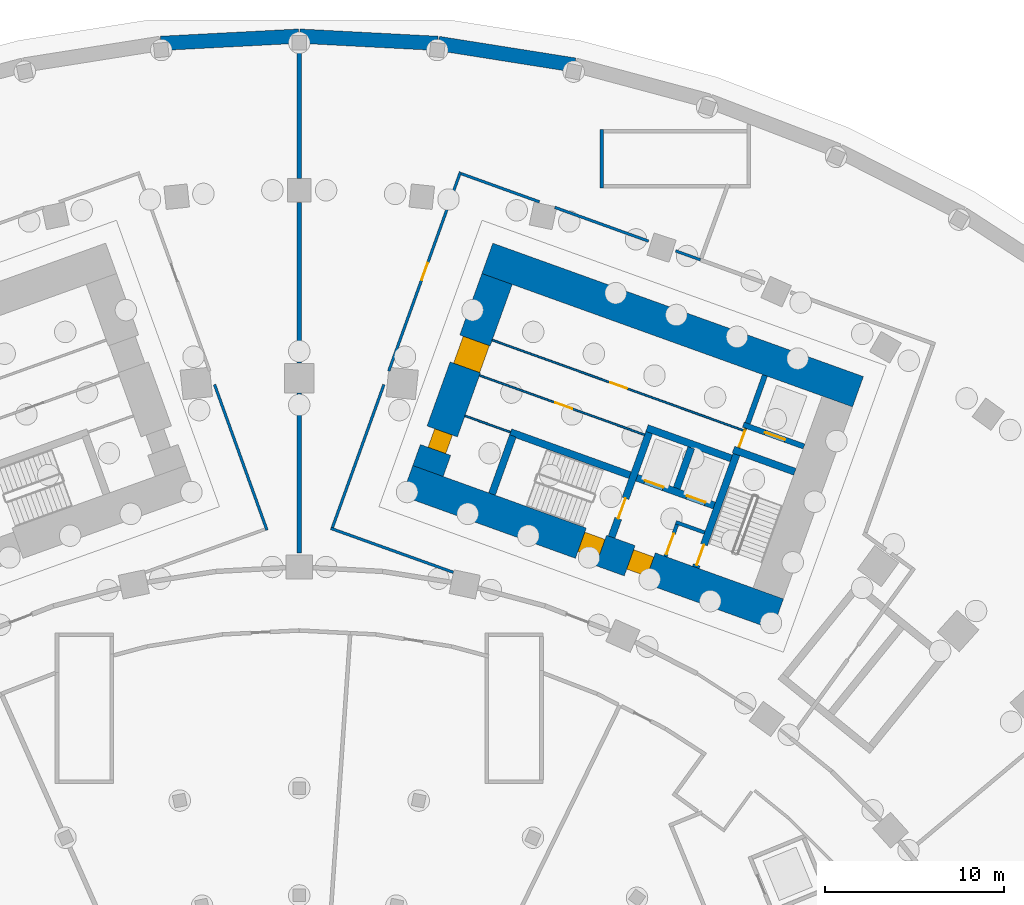
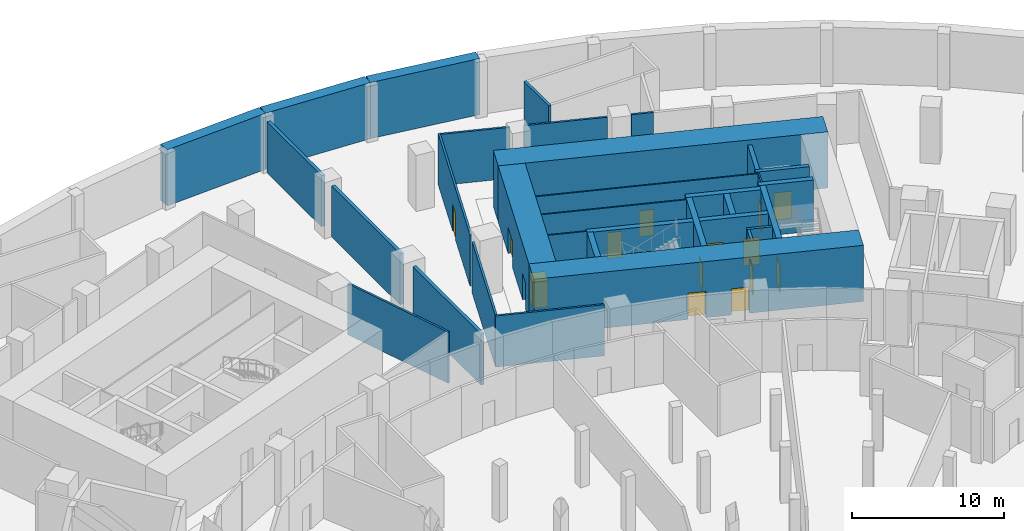
# One storey, part 14 of 25: 32 walls, 14 doors, 14 openings.
"""IFC4 building model written with IfcOpenShell, lengths in metres."""

from ifc_helpers import new_model, si_unit, direction, frame, frame_2d, origin, place, context, subcontext, project, spatial, rectangle, extrude, material, layer, layer_set, type_object, element, fill, save


model = new_model("IFC4")

# Units and contexts
model_context = context("Model", 3, precision=1e-05, world=origin(), true_north=direction((0.0, 1.0)))
body_context = subcontext(model_context, "Body", "Model", "MODEL_VIEW")
ifc_project = project(units=[si_unit("LENGTHUNIT", "METRE"), si_unit("AREAUNIT", "SQUARE_METRE"), si_unit("VOLUMEUNIT", "CUBIC_METRE"), si_unit("PLANEANGLEUNIT", "RADIAN"), si_unit("MASSUNIT", "GRAM", prefix="KILO")], contexts=[model_context])

# Site, building, storey
site_placement = place(None, origin())
site = spatial("IfcSite", under=ifc_project, at=site_placement, CompositionType="ELEMENT")
building_placement = place(site_placement, origin())
building = spatial("IfcBuilding", under=site, at=building_placement, Name="Stone Belt Terrace Tower", CompositionType="ELEMENT")
storey_placement = place(building_placement, frame((0.0, 0.0, -13.5)))
storey = spatial("IfcBuildingStorey", under=building, at=storey_placement, Name="B3", CompositionType="ELEMENT", Elevation=-13.5)

# Walls
ifc_material_1 = material(Name="Concrete B30", Category="concrete")
ifc_layer_1 = layer(ifc_material_1, 0.800048828125)
ifc_layer_set_1 = layer_set([ifc_layer_1], Name="Basement wall 800 B30")
wall_type_1 = type_object("IfcWallType", Name="Basement wall 800 B30", PredefinedType="SHEAR", material=ifc_layer_set_1)
wall_1_placement = place(storey_placement, frame((15.385498046875, 72.4833984375, 0.0), z_axis=(0.0, 0.0, 1.0), x_axis=(-0.987688438382, 0.156433847638, 0.0)))
element("IfcWall", 1, at=wall_1_placement, inside=storey, type_object=wall_type_1, Name="Basement wall B3 34", PredefinedType="SHEAR", context=body_context, shape_type="SweptSolid", body=[
    extrude(rectangle(XDim=7.71435546875, YDim=0.800048828125, at=frame_2d((3.857177734375, 0.0))), origin(), (0.0, 0.0, 1.0), 4.5),
])
for number, where, z_axis, x_axis, name in (
    (2, (7.724609375, 73.694580078125, 0.0), (0.0, 0.0, 1.0), (-0.99862899724, 0.052346211619, 0.0), "Basement wall B3 35"),
    (3, (-0.02099609375, 74.098388671875, 0.0), (0.0, 0.0, 1.0), (-0.99862899724, -0.052346211619, 0.0), "Basement wall B3 36"),
):
    element("IfcWall", number, at=place(storey_placement, frame(where, z_axis=z_axis, x_axis=x_axis)), inside=storey, type_object=wall_type_1, Name=name, PredefinedType="SHEAR", context=body_context, shape_type="SweptSolid", body=[
        extrude(rectangle(XDim=7.714111328125, YDim=0.800048828125, at=frame_2d((3.85693359375, 0.0))), origin(), (0.0, 0.0, 1.0), 4.5),
    ])
ifc_layer_2 = layer(ifc_material_1, 0.25)
ifc_layer_set_2 = layer_set([ifc_layer_2], Name="Compartment wall 250")
wall_type_2 = type_object("IfcWallType", Name="Compartment wall 250", PredefinedType="SOLIDWALL", material=ifc_layer_set_2)
wall_2_placement = place(storey_placement, frame((0.0, 45.215087890625, 0.0), z_axis=(0.0, 0.0, 1.0), x_axis=(0.0, 1.0, 0.0)))
element("IfcWall", 4, at=wall_2_placement, inside=storey, type_object=wall_type_2, Name="Compartment wall B3 10", PredefinedType="SOLIDWALL", context=body_context, shape_type="SweptSolid", body=[
    extrude(rectangle(XDim=8.93994140625, YDim=0.25, at=frame_2d((4.469970703125, 0.0))), origin(), (0.0, 0.0, 1.0), 4.10009765625),
])
wall_3_placement = place(storey_placement, frame((0.0, 55.844970703125, 0.0), z_axis=(0.0, 0.0, 1.0), x_axis=(0.0, 1.0, 0.0)))
element("IfcWall", 5, at=wall_3_placement, inside=storey, type_object=wall_type_2, Name="Compartment wall B3 10", PredefinedType="SOLIDWALL", context=body_context, shape_type="SweptSolid", body=[
    extrude(rectangle(XDim=8.973876953125, YDim=0.25, at=frame_2d((4.48681640625, 0.0))), origin(), (0.0, 0.0, 1.0), 4.10009765625),
])
wall_4_placement = place(storey_placement, frame((0.0, 66.158935546875, 0.0), z_axis=(0.0, 0.0, 1.0), x_axis=(0.0, 1.0, 0.0)))
element("IfcWall", 6, at=wall_4_placement, inside=storey, type_object=wall_type_2, Name="Compartment wall B3 10", PredefinedType="SOLIDWALL", context=body_context, shape_type="SweptSolid", body=[
    extrude(rectangle(XDim=7.14892578125, YDim=0.25, at=frame_2d((3.574462890625, 0.0))), origin(), (0.0, 0.0, 1.0), 4.10009765625),
])

# Wall, opening, door
ifc_material_2 = material(Name="Plasterboard partition")
ifc_layer_3 = layer(ifc_material_2, 0.10009765625)
ifc_layer_set_3 = layer_set([ifc_layer_3], Name="Core partition 100")
wall_type_3 = type_object("IfcWallType", Name="Core partition 100", PredefinedType="PARTITIONING", material=ifc_layer_set_3)
wall_5_placement = place(storey_placement, frame((24.555908203125, 51.10400390625, 0.0), z_axis=(0.0, 0.0, 1.0), x_axis=(0.338621735342, 0.94092258999, 0.0)))
wall_5 = element("IfcWall", 7, at=wall_5_placement, inside=storey, type_object=wall_type_3, Name="Core B wall", PredefinedType="PARTITIONING", context=body_context, shape_type="SweptSolid", body=[
    extrude(rectangle(XDim=1.14990234375, YDim=0.10009765625, at=frame_2d((0.574951171875, 0.0))), origin(), (0.0, 0.0, 1.0), 4.10009765625),
])
opening_1_placement = place(wall_5_placement, frame((0.050048828125, 0.0, 0.0)))
opening_1 = element("IfcOpeningElement", 8, at=opening_1_placement, cuts=wall_5, Name="Opening B3-C13", PredefinedType="OPENING", context=body_context, shape_type="SweptSolid", body=[
    extrude(rectangle(XDim=1.0, YDim=2.10009765625, at=frame_2d((0.5, 1.050048828125))), frame((0.0, 0.06005859375, 0.0), z_axis=(0.0, -1.0, 0.0), x_axis=(1.0, 0.0, 0.0)), (0.0, 0.0, 1.0), 0.1201171875),
])
ifc_material_3 = material(Name="Timber door leaf", Category="wood")
door_type_1 = type_object("IfcDoorType", Name="Core room door 1000", OperationType="SINGLE_SWING_LEFT", PredefinedType="DOOR", material=ifc_material_3)
door_1_placement = place(opening_1_placement, origin())
door_1 = element("IfcDoor", 9, at=door_1_placement, inside=storey, type_object=door_type_1, Name="Service lift lobby door core B", OperationType="SINGLE_SWING_LEFT", OverallHeight=2.10009765625, OverallWidth=1.0, PredefinedType="DOOR", context=body_context, shape_type="SweptSolid", body=[
    extrude(rectangle(XDim=1.0, YDim=2.10009765625, at=frame_2d((0.5, 1.050048828125))), frame((0.0, 0.02490234375, 0.0), z_axis=(0.0, -1.0, 0.0), x_axis=(1.0, 0.0, 0.0)), (0.0, 0.0, 1.0), 0.050048828125),
])
fill(opening_1, door_1)

wall_6_placement = place(storey_placement, frame((24.847412109375, 52.061767578125, 0.0), z_axis=(0.0, 0.0, 1.0), x_axis=(-0.940921131887, 0.338625786921, 0.0)))
wall_6 = element("IfcWall", 10, at=wall_6_placement, inside=storey, type_object=wall_type_3, Name="Core B wall", PredefinedType="PARTITIONING", context=body_context, shape_type="SweptSolid", body=[
    extrude(rectangle(XDim=14.9501953125, YDim=0.10009765625, at=frame_2d((7.47509765625, 0.0))), origin(), (0.0, 0.0, 1.0), 4.10009765625),
])
opening_2_placement = place(wall_6_placement, frame((6.949951171875, 0.0, 0.0)))
opening_2 = element("IfcOpeningElement", 11, at=opening_2_placement, cuts=wall_6, Name="Opening B3-C11", PredefinedType="OPENING", context=body_context, shape_type="SweptSolid", body=[
    extrude(rectangle(XDim=1.0, YDim=2.10009765625, at=frame_2d((0.5, 1.050048828125))), frame((0.0, 0.06005859375, 0.0), z_axis=(0.0, -1.0, 0.0), x_axis=(1.0, 0.0, 0.0)), (0.0, 0.0, 1.0), 0.1201171875),
])
door_2_placement = place(opening_2_placement, origin())
door_2 = element("IfcDoor", 12, at=door_2_placement, inside=storey, type_object=door_type_1, Name="Door to Chilled water pump room core B", OperationType="SINGLE_SWING_LEFT", OverallHeight=2.10009765625, OverallWidth=1.0, PredefinedType="DOOR", context=body_context, shape_type="SweptSolid", body=[
    extrude(rectangle(XDim=1.0, YDim=2.10009765625, at=frame_2d((0.5, 1.050048828125))), frame((0.0, 0.02490234375, 0.0), z_axis=(0.0, -1.0, 0.0), x_axis=(1.0, 0.0, 0.0)), (0.0, 0.0, 1.0), 0.050048828125),
])
fill(opening_2, door_2)

wall_7_placement = place(storey_placement, frame((19.29052734375, 51.829833984375, 0.0), z_axis=(0.0, 0.0, 1.0), x_axis=(-0.940925833398, 0.338612722803, 0.0)))
wall_7 = element("IfcWall", 13, at=wall_7_placement, inside=storey, type_object=wall_type_3, Name="Core B wall", PredefinedType="PARTITIONING", context=body_context, shape_type="SweptSolid", body=[
    extrude(rectangle(XDim=9.7998046875, YDim=0.10009765625, at=frame_2d((4.89990234375, 0.0))), origin(), (0.0, 0.0, 1.0), 4.10009765625),
])
opening_3_placement = place(wall_7_placement, frame((4.300048828125, 0.0, 0.0)))
opening_3 = element("IfcOpeningElement", 14, at=opening_3_placement, cuts=wall_7, Name="Opening B3-C12", PredefinedType="OPENING", context=body_context, shape_type="SweptSolid", body=[
    extrude(rectangle(XDim=1.0, YDim=2.10009765625, at=frame_2d((0.5, 1.050048828125))), frame((0.0, 0.06005859375, 0.0), z_axis=(0.0, -1.0, 0.0), x_axis=(1.0, 0.0, 0.0)), (0.0, 0.0, 1.0), 0.1201171875),
])
door_3_placement = place(opening_3_placement, origin())
door_3 = element("IfcDoor", 15, at=door_3_placement, inside=storey, type_object=door_type_1, Name="Door to Fire pump room core B", OperationType="SINGLE_SWING_LEFT", OverallHeight=2.10009765625, OverallWidth=1.0, PredefinedType="DOOR", context=body_context, shape_type="SweptSolid", body=[
    extrude(rectangle(XDim=1.0, YDim=2.10009765625, at=frame_2d((0.5, 1.050048828125))), frame((0.0, 0.02490234375, 0.0), z_axis=(0.0, -1.0, 0.0), x_axis=(1.0, 0.0, 0.0)), (0.0, 0.0, 1.0), 0.050048828125),
])
fill(opening_3, door_3)

# Wall
wall_8_placement = place(storey_placement, frame((11.797119140625, 51.975830078125, 0.0), z_axis=(0.0, 0.0, 1.0), x_axis=(-0.940910465161, 0.33865542451, 0.0)))
element("IfcWall", 16, at=wall_8_placement, inside=storey, type_object=wall_type_3, Name="Core B wall", PredefinedType="PARTITIONING", context=body_context, shape_type="SweptSolid", body=[
    extrude(rectangle(XDim=2.69970703125, YDim=0.10009765625, at=frame_2d((1.349853515625, 0.0))), origin(), (0.0, 0.0, 1.0), 4.10009765625),
])

# Wall, openings, doors
ifc_material_4 = material(Name="Concrete B80", Category="concrete")
ifc_layer_4 = layer(ifc_material_4, 1.800048828125)
ifc_layer_set_4 = layer_set([ifc_layer_4], Name="Core wall 1800 B80")
wall_type_4 = type_object("IfcWallType", Name="Core wall 1800 B80", PredefinedType="SHEAR", material=ifc_layer_set_4)
wall_9_placement = place(storey_placement, frame((6.039306640625, 49.265380859375, 0.0), z_axis=(0.0, 0.0, 1.0), x_axis=(0.940921642213, -0.338624368902, 0.0)))
wall_9 = element("IfcWall", 17, at=wall_9_placement, inside=storey, type_object=wall_type_4, Name="Core B wall concave B3", PredefinedType="SHEAR", context=body_context, shape_type="SweptSolid", body=[
    extrude(rectangle(XDim=22.0, YDim=1.800048828125, at=frame_2d((11.0, 0.0))), origin(), (0.0, 0.0, 1.0), 4.5),
])
opening_4_placement = place(wall_9_placement, frame((13.199951171875, 0.0, 0.0)))
opening_4 = element("IfcOpeningElement", 18, at=opening_4_placement, cuts=wall_9, Name="Opening B3-C17", PredefinedType="OPENING", context=body_context, shape_type="SweptSolid", body=[
    extrude(rectangle(XDim=1.199951171875, YDim=2.10009765625, at=frame_2d((0.60009765625, 1.050048828125))), frame((0.0, 0.909912109375, 0.0), z_axis=(0.0, -1.0, 0.0), x_axis=(1.0, 0.0, 0.0)), (0.0, 0.0, 1.0), 1.820068359375),
])
opening_5_placement = place(wall_9_placement, frame((10.300048828125, 0.0, 0.0)))
opening_5 = element("IfcOpeningElement", 19, at=opening_5_placement, cuts=wall_9, Name="Opening B3-C19", PredefinedType="OPENING", context=body_context, shape_type="SweptSolid", body=[
    extrude(rectangle(XDim=1.199951171875, YDim=2.10009765625, at=frame_2d((0.60009765625, 1.050048828125))), frame((0.0, 0.909912109375, 0.0), z_axis=(0.0, -1.0, 0.0), x_axis=(1.0, 0.0, 0.0)), (0.0, 0.0, 1.0), 1.820068359375),
])
ifc_material_5 = material(Name="Steel door leaf", Category="steel")
door_type_2 = type_object("IfcDoorType", Name="Fire-fighting lobby door 1200", OperationType="SINGLE_SWING_LEFT", PredefinedType="DOOR", material=ifc_material_5)
door_4_placement = place(opening_4_placement, origin())
door_4 = element("IfcDoor", 20, at=door_4_placement, inside=storey, type_object=door_type_2, Name="Fire-fighting lobby door core B", OperationType="SINGLE_SWING_LEFT", OverallHeight=2.10009765625, OverallWidth=1.199951171875, PredefinedType="DOOR", context=body_context, shape_type="SweptSolid", body=[
    extrude(rectangle(XDim=1.199951171875, YDim=2.10009765625, at=frame_2d((0.60009765625, 1.050048828125))), frame((0.0, 0.655029296875, 0.0), z_axis=(0.0, -1.0, 0.0), x_axis=(1.0, 0.0, 0.0)), (0.0, 0.0, 1.0), 1.14990234375),
])
fill(opening_4, door_4)
door_type_3 = type_object("IfcDoorType", Name="Stair door 1200", OperationType="SINGLE_SWING_LEFT", PredefinedType="DOOR", material=ifc_material_5)
door_5_placement = place(opening_5_placement, origin())
door_5 = element("IfcDoor", 21, at=door_5_placement, inside=storey, type_object=door_type_3, Name="Stair 2 exit door core B", OperationType="SINGLE_SWING_RIGHT", OverallHeight=2.10009765625, OverallWidth=1.199951171875, PredefinedType="DOOR", context=body_context, shape_type="SweptSolid", body=[
    extrude(rectangle(XDim=1.199951171875, YDim=2.10009765625, at=frame_2d((0.60009765625, 1.050048828125))), frame((0.0, 0.655029296875, 0.0), z_axis=(0.0, -1.0, 0.0), x_axis=(1.0, 0.0, 0.0)), (0.0, 0.0, 1.0), 1.14990234375),
])
fill(opening_5, door_5)

# Wall
wall_10_placement = place(storey_placement, frame((10.509033203125, 61.685546875, 0.0), z_axis=(0.0, 0.0, 1.0), x_axis=(0.940922914687, -0.338620833112, 0.0)))
element("IfcWall", 22, at=wall_10_placement, inside=storey, type_object=wall_type_4, Name="Core B wall convex B3", PredefinedType="SHEAR", context=body_context, shape_type="SweptSolid", body=[
    extrude(rectangle(XDim=22.000244140625, YDim=1.800048828125, at=frame_2d((11.0, 0.0))), origin(), (0.0, 0.0, 1.0), 4.5),
])

# Wall, openings, doors
wall_11_placement = place(storey_placement, frame((7.19091796875, 49.8076171875, 0.0), z_axis=(0.0, 0.0, 1.0), x_axis=(0.338632255135, 0.940918804033, 0.0)))
wall_11 = element("IfcWall", 23, at=wall_11_placement, inside=storey, type_object=wall_type_4, Name="Core B wall end_a B3", PredefinedType="SHEAR", context=body_context, shape_type="SweptSolid", body=[
    extrude(rectangle(XDim=11.39990234375, YDim=1.800048828125, at=frame_2d((5.699951171875, 0.0))), origin(), (0.0, 0.0, 1.0), 4.5),
])
opening_6_placement = place(wall_11_placement, frame((6.14990234375, 0.0, 0.0)))
opening_6 = element("IfcOpeningElement", 24, at=opening_6_placement, cuts=wall_11, Name="Opening B3-C14", PredefinedType="OPENING", context=body_context, shape_type="SweptSolid", body=[
    extrude(rectangle(XDim=1.60009765625, YDim=2.10009765625, at=frame_2d((0.800048828125, 1.050048828125))), frame((0.0, 0.909912109375, 0.0), z_axis=(0.0, -1.0, 0.0), x_axis=(1.0, 0.0, 0.0)), (0.0, 0.0, 1.0), 1.820068359375),
])
opening_7_placement = place(wall_11_placement, frame((1.25, 0.0, 0.0)))
opening_7 = element("IfcOpeningElement", 25, at=opening_7_placement, cuts=wall_11, Name="Opening B3-C20", PredefinedType="OPENING", context=body_context, shape_type="SweptSolid", body=[
    extrude(rectangle(XDim=1.10009765625, YDim=2.10009765625, at=frame_2d((0.550048828125, 1.050048828125))), frame((0.0, 0.909912109375, 0.0), z_axis=(0.0, -1.0, 0.0), x_axis=(1.0, 0.0, 0.0)), (0.0, 0.0, 1.0), 1.820068359375),
])
door_type_4 = type_object("IfcDoorType", Name="Core room door 1100", OperationType="SINGLE_SWING_LEFT", PredefinedType="DOOR", material=ifc_material_3)
door_6_placement = place(opening_7_placement, origin())
door_6 = element("IfcDoor", 26, at=door_6_placement, inside=storey, type_object=door_type_4, Name="Door to Switch room core B", OperationType="SINGLE_SWING_LEFT", OverallHeight=2.10009765625, OverallWidth=1.10009765625, PredefinedType="DOOR", context=body_context, shape_type="SweptSolid", body=[
    extrude(rectangle(XDim=1.10009765625, YDim=2.10009765625, at=frame_2d((0.550048828125, 1.050048828125))), frame((0.0, 0.44482421875, 0.0), z_axis=(0.0, -1.0, 0.0), x_axis=(1.0, 0.0, 0.0)), (0.0, 0.0, 1.0), 1.050048828125),
])
fill(opening_7, door_6)
ifc_material_6 = material(Name="Glazed aluminium door leaf", Category="aluminium")
door_type_5 = type_object("IfcDoorType", Name="Lift lobby entrance door 1600", OperationType="DOUBLE_DOOR_SINGLE_SWING", PredefinedType="DOOR", material=ifc_material_6)
door_7_placement = place(opening_6_placement, origin())
door_7 = element("IfcDoor", 27, at=door_7_placement, inside=storey, type_object=door_type_5, Name="Lift lobby entrance door core B", OperationType="DOUBLE_DOOR_SINGLE_SWING", OverallHeight=2.10009765625, OverallWidth=1.60009765625, PredefinedType="DOOR", context=body_context, shape_type="SweptSolid", body=[
    extrude(rectangle(XDim=1.60009765625, YDim=2.10009765625, at=frame_2d((0.800048828125, 1.050048828125))), frame((0.0, 0.69482421875, 0.0), z_axis=(0.0, -1.0, 0.0), x_axis=(1.0, 0.0, 0.0)), (0.0, 0.0, 1.0), 1.550048828125),
])
fill(opening_6, door_7)

# Walls
ifc_layer_5 = layer(ifc_material_4, 0.39990234375)
ifc_layer_set_5 = layer_set([ifc_layer_5], Name="Fire-fighting lift shaft wall 400")
wall_type_5 = type_object("IfcWallType", Name="Fire-fighting lift shaft wall 400", PredefinedType="SHEAR", material=ifc_layer_set_5)
wall_12_placement = place(storey_placement, frame((24.130615234375, 50.512939453125, 0.0), z_axis=(0.0, 0.0, 1.0), x_axis=(-0.94091168377, 0.338652038744, 0.0)))
element("IfcWall", 28, at=wall_12_placement, inside=storey, type_object=wall_type_5, Name="Core B wall", PredefinedType="SHEAR", context=body_context, shape_type="SweptSolid", body=[
    extrude(rectangle(XDim=5.000244140625, YDim=0.39990234375, at=frame_2d((2.5, 0.0))), origin(), (0.0, 0.0, 1.0), 4.10009765625),
])
wall_13_placement = place(storey_placement, frame((21.0859375, 48.845458984375, 0.0), z_axis=(0.0, 0.0, 1.0), x_axis=(0.338629416206, 0.940919825745, 0.0)))
element("IfcWall", 29, at=wall_13_placement, inside=storey, type_object=wall_type_5, Name="Core B wall", PredefinedType="SHEAR", context=body_context, shape_type="SweptSolid", body=[
    extrude(rectangle(XDim=2.400146484375, YDim=0.39990234375, at=frame_2d((1.2001953125, 0.0))), origin(), (0.0, 0.0, 1.0), 4.10009765625),
])

# Wall, opening, door
ifc_layer_6 = layer(ifc_material_4, 0.300048828125)
ifc_layer_set_6 = layer_set([ifc_layer_6], Name="Lift shaft wall 300")
wall_type_6 = type_object("IfcWallType", Name="Lift shaft wall 300", PredefinedType="SHEAR", material=ifc_layer_set_6)
wall_14_placement = place(storey_placement, frame((28.195068359375, 51.17578125, 0.0), z_axis=(0.0, 0.0, 1.0), x_axis=(-0.940901243567, 0.338681044427, 0.0)))
wall_14 = element("IfcWall", 30, at=wall_14_placement, inside=storey, type_object=wall_type_6, Name="Core B wall", PredefinedType="SHEAR", context=body_context, shape_type="SweptSolid", body=[
    extrude(rectangle(XDim=3.599853515625, YDim=0.300048828125, at=frame_2d((1.7998046875, 0.0))), origin(), (0.0, 0.0, 1.0), 4.10009765625),
])
opening_8_placement = place(wall_14_placement, frame((1.1201171875, 0.0, 0.0)))
opening_8 = element("IfcOpeningElement", 31, at=opening_8_placement, cuts=wall_14, Name="Opening B3-LD06", PredefinedType="OPENING", context=body_context, shape_type="SweptSolid", body=[
    extrude(rectangle(XDim=1.199951171875, YDim=2.199951171875, at=frame_2d((0.60009765625, 1.10009765625))), frame((0.0, 0.159912109375, 0.0), z_axis=(0.0, -1.0, 0.0), x_axis=(1.0, 0.0, 0.0)), (0.0, 0.0, 1.0), 0.320068359375),
])
ifc_material_7 = material(Name="Stainless steel door leaf", Category="steel")
door_type_6 = type_object("IfcDoorType", Name="Landing door 1200", OperationType="SLIDING_TO_LEFT", PredefinedType="DOOR", material=ifc_material_7)
door_8_placement = place(opening_8_placement, origin())
door_8 = element("IfcDoor", 32, at=door_8_placement, inside=storey, type_object=door_type_6, Name="Landing door SV1 core B", OperationType="SLIDING_TO_LEFT", OverallHeight=2.199951171875, OverallWidth=1.199951171875, PredefinedType="DOOR", context=body_context, shape_type="SweptSolid", body=[
    extrude(rectangle(XDim=1.199951171875, YDim=2.199951171875, at=frame_2d((0.60009765625, 1.10009765625))), frame((0.0, 0.02490234375, 0.0), z_axis=(0.0, -1.0, 0.0), x_axis=(1.0, 0.0, 0.0)), (0.0, 0.0, 1.0), 0.050048828125),
])
fill(opening_8, door_8)

# Walls
wall_15_placement = place(storey_placement, frame((25.046875, 52.46826171875, 0.0), z_axis=(0.0, 0.0, 1.0), x_axis=(0.338549588058, 0.940948551423, 0.0)))
element("IfcWall", 33, at=wall_15_placement, inside=storey, type_object=wall_type_6, Name="Core B wall", PredefinedType="SHEAR", context=body_context, shape_type="SweptSolid", body=[
    extrude(rectangle(XDim=2.849853515625, YDim=0.300048828125, at=frame_2d((1.4248046875, 0.0))), origin(), (0.0, 0.0, 1.0), 4.10009765625),
])
ifc_material_8 = material(Name="Gypsum board on steel stud partition", Category="steel")
ifc_layer_7 = layer(ifc_material_8, 0.14990234375)
ifc_layer_set_7 = layer_set([ifc_layer_7], Name="Podium partition 150")
wall_type_7 = type_object("IfcWallType", Name="Podium partition 150", PredefinedType="PARTITIONING", material=ifc_layer_set_7)
wall_16_placement = place(storey_placement, frame((-4.73095703125, 54.6376953125, 0.0), z_axis=(0.0, 0.0, 1.0), x_axis=(0.338732477759, -0.940882728352, 0.0)))
element("IfcWall", 34, at=wall_16_placement, inside=storey, type_object=wall_type_7, Name="Podium partition 150", PredefinedType="PARTITIONING", context=body_context, shape_type="SweptSolid", body=[
    extrude(rectangle(XDim=8.638916015625, YDim=0.14990234375, at=frame_2d((4.3193359375, 0.0))), origin(), (0.0, 0.0, 1.0), 4.10009765625),
])
wall_17_placement = place(storey_placement, frame((1.759521484375, 46.605224609375, 0.0), z_axis=(0.0, 0.0, 1.0), x_axis=(0.941251612762, -0.33770608741, 0.0)))
element("IfcWall", 35, at=wall_17_placement, inside=storey, type_object=wall_type_7, Name="Podium partition 150", PredefinedType="PARTITIONING", context=body_context, shape_type="SweptSolid", body=[
    extrude(rectangle(XDim=7.269775390625, YDim=0.14990234375, at=frame_2d((3.634765625, 0.0))), origin(), (0.0, 0.0, 1.0), 4.10009765625),
])
wall_18_placement = place(storey_placement, frame((1.85546875, 46.650634765625, 0.0), z_axis=(0.0, 0.0, 1.0), x_axis=(0.338734744408, 0.94088191232, 0.0)))
element("IfcWall", 36, at=wall_18_placement, inside=storey, type_object=wall_type_7, Name="Podium partition 150", PredefinedType="PARTITIONING", context=body_context, shape_type="SweptSolid", body=[
    extrude(rectangle(XDim=8.489013671875, YDim=0.14990234375, at=frame_2d((4.24462890625, 0.0))), origin(), (0.0, 0.0, 1.0), 4.10009765625),
])

# Wall, opening, door
wall_19_placement = place(storey_placement, frame((5.00341796875, 55.394775390625, 0.0), z_axis=(0.0, 0.0, 1.0), x_axis=(0.338741421132, 0.94087950855, 0.0)))
wall_19 = element("IfcWall", 37, at=wall_19_placement, inside=storey, type_object=wall_type_7, Name="Podium partition 150", PredefinedType="PARTITIONING", context=body_context, shape_type="SweptSolid", body=[
    extrude(rectangle(XDim=11.814208984375, YDim=0.14990234375, at=frame_2d((5.9072265625, 0.0))), origin(), (0.0, 0.0, 1.0), 4.10009765625),
])
opening_9_placement = place(wall_19_placement, frame((5.406982421875, 0.0, 0.0)))
opening_9 = element("IfcOpeningElement", 38, at=opening_9_placement, cuts=wall_19, Name="Opening B3-P12", PredefinedType="OPENING", context=body_context, shape_type="SweptSolid", body=[
    extrude(rectangle(XDim=1.0, YDim=2.10009765625, at=frame_2d((0.5, 1.050048828125))), frame((0.0, 0.0849609375, 0.0), z_axis=(0.0, -1.0, 0.0), x_axis=(1.0, 0.0, 0.0)), (0.0, 0.0, 1.0), 0.169921875),
])
ifc_material_9 = material(Name="Steel framed door leaf", Category="steel")
door_type_7 = type_object("IfcDoorType", Name="Podium door single 1000", OperationType="SINGLE_SWING_LEFT", PredefinedType="DOOR", material=ifc_material_9)
door_9_placement = place(opening_9_placement, origin())
door_9 = element("IfcDoor", 39, at=door_9_placement, inside=storey, type_object=door_type_7, Name="Podium door single 1000", OperationType="SINGLE_SWING_RIGHT", OverallHeight=2.10009765625, OverallWidth=1.0, PredefinedType="DOOR", context=body_context, shape_type="SweptSolid", body=[
    extrude(rectangle(XDim=1.0, YDim=2.10009765625, at=frame_2d((0.5, 1.050048828125))), frame((0.0, 0.02490234375, 0.0), z_axis=(0.0, -1.0, 0.0), x_axis=(1.0, 0.0, 0.0)), (0.0, 0.0, 1.0), 0.050048828125),
])
fill(opening_9, door_9)

# Walls
wall_20_placement = place(storey_placement, frame((9.050537109375, 66.41455078125, 0.0), z_axis=(0.0, 0.0, 1.0), x_axis=(0.940844471196, -0.338838724203, 0.0)))
element("IfcWall", 40, at=wall_20_placement, inside=storey, type_object=wall_type_7, Name="Podium partition 150", PredefinedType="PARTITIONING", context=body_context, shape_type="SweptSolid", body=[
    extrude(rectangle(XDim=4.639404296875, YDim=0.14990234375, at=frame_2d((2.31982421875, 0.0))), origin(), (0.0, 0.0, 1.0), 4.10009765625),
])
wall_21_placement = place(storey_placement, frame((14.2705078125, 64.534912109375, 0.0), z_axis=(0.0, 0.0, 1.0), x_axis=(0.940840486933, -0.338849786996, 0.0)))
element("IfcWall", 41, at=wall_21_placement, inside=storey, type_object=wall_type_7, Name="Podium partition 150", PredefinedType="PARTITIONING", context=body_context, shape_type="SweptSolid", body=[
    extrude(rectangle(XDim=5.572265625, YDim=0.14990234375, at=frame_2d((2.7861328125, 0.0))), origin(), (0.0, 0.0, 1.0), 4.10009765625),
])
wall_22_placement = place(storey_placement, frame((21.026611328125, 62.101806640625, 0.0), z_axis=(0.0, 0.0, 1.0), x_axis=(0.94087894856, -0.338742976541, 0.0)))
element("IfcWall", 42, at=wall_22_placement, inside=storey, type_object=wall_type_7, Name="Podium partition 150", PredefinedType="PARTITIONING", context=body_context, shape_type="SweptSolid", body=[
    extrude(rectangle(XDim=1.470947265625, YDim=0.14990234375, at=frame_2d((0.7353515625, 0.0))), origin(), (0.0, 0.0, 1.0), 4.10009765625),
])
ifc_layer_8 = layer(ifc_material_1, 0.199951171875)
ifc_layer_set_8 = layer_set([ifc_layer_8], Name="Podium stair and shaft wall 200")
wall_type_8 = type_object("IfcWallType", Name="Podium stair and shaft wall 200", PredefinedType="SOLIDWALL", material=ifc_layer_set_8)
wall_23_placement = place(storey_placement, frame((16.889892578125, 65.6201171875, 0.0), z_axis=(0.0, 0.0, 1.0), x_axis=(0.0, 1.0, 0.0)))
element("IfcWall", 43, at=wall_23_placement, inside=storey, type_object=wall_type_8, Name="Podium stair and shaft wall 200", PredefinedType="SOLIDWALL", context=body_context, shape_type="SweptSolid", body=[
    extrude(rectangle(XDim=3.259765625, YDim=0.199951171875, at=frame_2d((1.6298828125, 0.0))), origin(), (0.0, 0.0, 1.0), 4.10009765625),
])
ifc_material_10 = material(Name="Concrete masonry block", Category="masonry")
ifc_layer_9 = layer(ifc_material_10, 0.199951171875)
ifc_layer_set_9 = layer_set([ifc_layer_9], Name="Rated lobby wall 200")
wall_type_9 = type_object("IfcWallType", Name="Rated lobby wall 200", PredefinedType="PARTITIONING", material=ifc_layer_set_9)
wall_24_placement = place(storey_placement, frame((22.640625, 46.373046875, 0.0), z_axis=(0.0, 0.0, 1.0), x_axis=(-0.940966110313, 0.338500781747, 0.0)))
element("IfcWall", 44, at=wall_24_placement, inside=storey, type_object=wall_type_9, Name="Core B wall", PredefinedType="PARTITIONING", context=body_context, shape_type="SweptSolid", body=[
    extrude(rectangle(XDim=1.699951171875, YDim=0.199951171875, at=frame_2d((0.85009765625, 0.0))), origin(), (0.0, 0.0, 1.0), 4.10009765625),
])

# Wall, opening, door
wall_25_placement = place(storey_placement, frame((20.4580078125, 45.032958984375, 0.0), z_axis=(0.0, 0.0, 1.0), x_axis=(0.338573865316, 0.940939816208, 0.0)))
wall_25 = element("IfcWall", 45, at=wall_25_placement, inside=storey, type_object=wall_type_9, Name="Core B wall", PredefinedType="PARTITIONING", context=body_context, shape_type="SweptSolid", body=[
    extrude(rectangle(XDim=1.900146484375, YDim=0.199951171875, at=frame_2d((0.9501953125, 0.0))), origin(), (0.0, 0.0, 1.0), 4.10009765625),
])
opening_10_placement = place(wall_25_placement, frame((0.14990234375, 0.0, 0.0)))
opening_10 = element("IfcOpeningElement", 46, at=opening_10_placement, cuts=wall_25, Name="Opening B3-C16", PredefinedType="OPENING", context=body_context, shape_type="SweptSolid", body=[
    extrude(rectangle(XDim=1.199951171875, YDim=2.10009765625, at=frame_2d((0.60009765625, 1.050048828125))), frame((0.0, 0.10986328125, 0.0), z_axis=(0.0, -1.0, 0.0), x_axis=(1.0, 0.0, 0.0)), (0.0, 0.0, 1.0), 0.219970703125),
])
door_10_placement = place(opening_10_placement, origin())
door_10 = element("IfcDoor", 47, at=door_10_placement, inside=storey, type_object=door_type_3, Name="Stair airlock door core B", OperationType="SINGLE_SWING_LEFT", OverallHeight=2.10009765625, OverallWidth=1.199951171875, PredefinedType="DOOR", context=body_context, shape_type="SweptSolid", body=[
    extrude(rectangle(XDim=1.199951171875, YDim=2.10009765625, at=frame_2d((0.60009765625, 1.050048828125))), frame((0.0, 0.02490234375, 0.0), z_axis=(0.0, -1.0, 0.0), x_axis=(1.0, 0.0, 0.0)), (0.0, 0.0, 1.0), 0.050048828125),
])
fill(opening_10, door_10)

# Wall
ifc_layer_10 = layer(ifc_material_4, 0.39990234375)
ifc_layer_set_10 = layer_set([ifc_layer_10], Name="Stair enclosure wall 400")
wall_type_10 = type_object("IfcWallType", Name="Stair enclosure wall 400", PredefinedType="SHEAR", material=ifc_layer_set_10)
wall_26_placement = place(storey_placement, frame((27.687255859375, 49.764404296875, 0.0), z_axis=(0.0, 0.0, 1.0), x_axis=(-0.940918954884, 0.338631835981, 0.0)))
element("IfcWall", 48, at=wall_26_placement, inside=storey, type_object=wall_type_10, Name="Core B wall", PredefinedType="SHEAR", context=body_context, shape_type="SweptSolid", body=[
    extrude(rectangle(XDim=3.650146484375, YDim=0.39990234375, at=frame_2d((1.8251953125, 0.0))), origin(), (0.0, 0.0, 1.0), 4.10009765625),
])

# Wall, opening, door
wall_27_placement = place(storey_placement, frame((22.151611328125, 44.42333984375, 0.0), z_axis=(0.0, 0.0, 1.0), x_axis=(0.338625272931, 0.940921316866, 0.0)))
wall_27 = element("IfcWall", 49, at=wall_27_placement, inside=storey, type_object=wall_type_10, Name="Core B wall", PredefinedType="SHEAR", context=body_context, shape_type="SweptSolid", body=[
    extrude(rectangle(XDim=6.699951171875, YDim=0.39990234375, at=frame_2d((3.35009765625, 0.0))), origin(), (0.0, 0.0, 1.0), 4.10009765625),
])
opening_11_placement = place(wall_27_placement, frame((0.14990234375, 0.0, 0.0)))
opening_11 = element("IfcOpeningElement", 50, at=opening_11_placement, cuts=wall_27, Name="Opening B3-C15", PredefinedType="OPENING", context=body_context, shape_type="SweptSolid", body=[
    extrude(rectangle(XDim=1.199951171875, YDim=2.10009765625, at=frame_2d((0.60009765625, 1.050048828125))), frame((0.0, 0.2099609375, 0.0), z_axis=(0.0, -1.0, 0.0), x_axis=(1.0, 0.0, 0.0)), (0.0, 0.0, 1.0), 0.419921875),
])
door_11_placement = place(opening_11_placement, origin())
door_11 = element("IfcDoor", 51, at=door_11_placement, inside=storey, type_object=door_type_3, Name="Stair 1 door core B", OperationType="SINGLE_SWING_LEFT", OverallHeight=2.10009765625, OverallWidth=1.199951171875, PredefinedType="DOOR", context=body_context, shape_type="SweptSolid", body=[
    extrude(rectangle(XDim=1.199951171875, YDim=2.10009765625, at=frame_2d((0.60009765625, 1.050048828125))), frame((0.0, 0.02490234375, 0.0), z_axis=(0.0, -1.0, 0.0), x_axis=(1.0, 0.0, 0.0)), (0.0, 0.0, 1.0), 0.050048828125),
])
fill(opening_11, door_11)

# Wall, openings, doors
wall_28_placement = place(storey_placement, frame((23.182373046875, 47.87841796875, 0.0), z_axis=(0.0, 0.0, 1.0), x_axis=(-0.940921101762, 0.338625870628, 0.0)))
wall_28 = element("IfcWall", 52, at=wall_28_placement, inside=storey, type_object=wall_type_10, Name="Core B wall", PredefinedType="SHEAR", context=body_context, shape_type="SweptSolid", body=[
    extrude(rectangle(XDim=12.10009765625, YDim=0.39990234375, at=frame_2d((6.050048828125, 0.0))), origin(), (0.0, 0.0, 1.0), 4.10009765625),
])
opening_12_placement = place(wall_28_placement, frame((0.52001953125, 0.0, 0.0)))
opening_12 = element("IfcOpeningElement", 53, at=opening_12_placement, cuts=wall_28, Name="Opening B3-LD04", PredefinedType="OPENING", context=body_context, shape_type="SweptSolid", body=[
    extrude(rectangle(XDim=1.10009765625, YDim=2.199951171875, at=frame_2d((0.550048828125, 1.10009765625))), frame((0.0, 0.2099609375, 0.0), z_axis=(0.0, -1.0, 0.0), x_axis=(1.0, 0.0, 0.0)), (0.0, 0.0, 1.0), 0.419921875),
])
opening_13_placement = place(wall_28_placement, frame((3.02001953125, 0.0, 0.0)))
opening_13 = element("IfcOpeningElement", 54, at=opening_13_placement, cuts=wall_28, Name="Opening B3-LD05", PredefinedType="OPENING", context=body_context, shape_type="SweptSolid", body=[
    extrude(rectangle(XDim=1.10009765625, YDim=2.199951171875, at=frame_2d((0.550048828125, 1.10009765625))), frame((0.0, 0.2099609375, 0.0), z_axis=(0.0, -1.0, 0.0), x_axis=(1.0, 0.0, 0.0)), (0.0, 0.0, 1.0), 0.419921875),
])
door_type_8 = type_object("IfcDoorType", Name="Landing door 1100", OperationType="SLIDING_TO_LEFT", PredefinedType="DOOR", material=ifc_material_7)
door_12_placement = place(opening_12_placement, origin())
door_12 = element("IfcDoor", 55, at=door_12_placement, inside=storey, type_object=door_type_8, Name="Landing door FF1 core B", OperationType="SLIDING_TO_LEFT", OverallHeight=2.199951171875, OverallWidth=1.10009765625, PredefinedType="DOOR", context=body_context, shape_type="SweptSolid", body=[
    extrude(rectangle(XDim=1.10009765625, YDim=2.199951171875, at=frame_2d((0.550048828125, 1.10009765625))), frame((0.0, 0.02490234375, 0.0), z_axis=(0.0, -1.0, 0.0), x_axis=(1.0, 0.0, 0.0)), (0.0, 0.0, 1.0), 0.050048828125),
])
fill(opening_12, door_12)
door_13_placement = place(opening_13_placement, origin())
door_13 = element("IfcDoor", 56, at=door_13_placement, inside=storey, type_object=door_type_8, Name="Landing door FF2 core B", OperationType="SLIDING_TO_LEFT", OverallHeight=2.199951171875, OverallWidth=1.10009765625, PredefinedType="DOOR", context=body_context, shape_type="SweptSolid", body=[
    extrude(rectangle(XDim=1.10009765625, YDim=2.199951171875, at=frame_2d((0.550048828125, 1.10009765625))), frame((0.0, 0.02490234375, 0.0), z_axis=(0.0, -1.0, 0.0), x_axis=(1.0, 0.0, 0.0)), (0.0, 0.0, 1.0), 0.050048828125),
])
fill(opening_13, door_13)

# Wall, opening, door
wall_29_placement = place(storey_placement, frame((17.447021484375, 46.116455078125, 0.0), z_axis=(0.0, 0.0, 1.0), x_axis=(0.33860791464, 0.940927563707, 0.0)))
wall_29 = element("IfcWall", 57, at=wall_29_placement, inside=storey, type_object=wall_type_10, Name="Core B wall", PredefinedType="SHEAR", context=body_context, shape_type="SweptSolid", body=[
    extrude(rectangle(XDim=6.199951171875, YDim=0.39990234375, at=frame_2d((3.10009765625, 0.0))), origin(), (0.0, 0.0, 1.0), 4.10009765625),
])
opening_14_placement = place(wall_29_placement, frame((1.10009765625, 0.0, 0.0)))
opening_14 = element("IfcOpeningElement", 58, at=opening_14_placement, cuts=wall_29, Name="Opening B3-C18", PredefinedType="OPENING", context=body_context, shape_type="SweptSolid", body=[
    extrude(rectangle(XDim=1.199951171875, YDim=2.10009765625, at=frame_2d((0.60009765625, 1.050048828125))), frame((0.0, 0.2099609375, 0.0), z_axis=(0.0, -1.0, 0.0), x_axis=(1.0, 0.0, 0.0)), (0.0, 0.0, 1.0), 0.419921875),
])
door_14_placement = place(opening_14_placement, origin())
door_14 = element("IfcDoor", 59, at=door_14_placement, inside=storey, type_object=door_type_3, Name="Stair 2 door core B", OperationType="SINGLE_SWING_LEFT", OverallHeight=2.10009765625, OverallWidth=1.199951171875, PredefinedType="DOOR", context=body_context, shape_type="SweptSolid", body=[
    extrude(rectangle(XDim=1.199951171875, YDim=2.10009765625, at=frame_2d((0.60009765625, 1.050048828125))), frame((0.0, 0.02490234375, 0.0), z_axis=(0.0, -1.0, 0.0), x_axis=(1.0, 0.0, 0.0)), (0.0, 0.0, 1.0), 0.050048828125),
])
fill(opening_14, door_14)

# Wall
wall_30_placement = place(storey_placement, frame((10.766357421875, 48.520751953125, 0.0), z_axis=(0.0, 0.0, 1.0), x_axis=(0.338621735342, 0.94092258999, 0.0)))
element("IfcWall", 60, at=wall_30_placement, inside=storey, type_object=wall_type_10, Name="Core B wall", PredefinedType="SHEAR", context=body_context, shape_type="SweptSolid", body=[
    extrude(rectangle(XDim=3.449951171875, YDim=0.39990234375, at=frame_2d((1.72509765625, 0.0))), origin(), (0.0, 0.0, 1.0), 4.10009765625),
])

save(model, "model.ifc")
